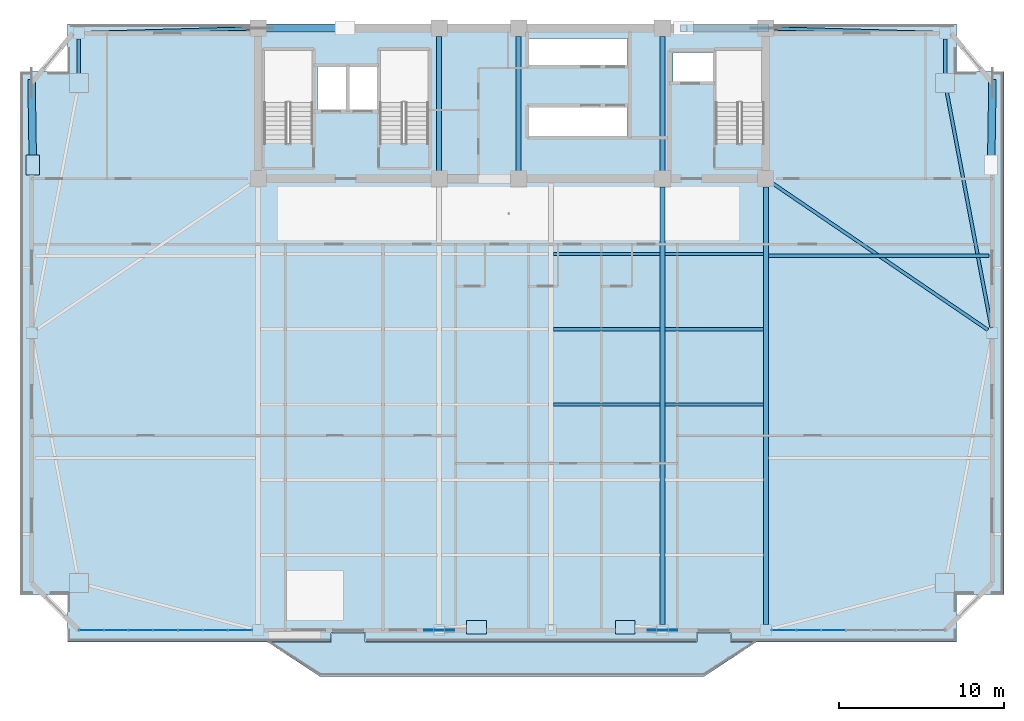
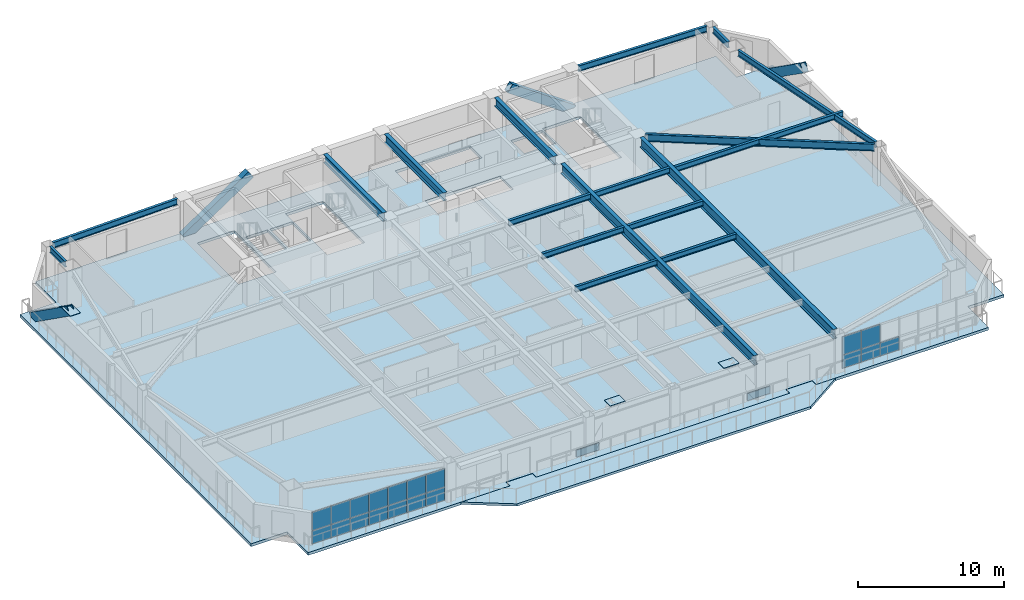
# One storey, part 6 of 15: 24 plates, 18 beams, 4 members, 2 slabs, 2 elements without a shape of their own.
"""IFC4 building model written with IfcOpenShell, lengths in metres."""

from ifc_helpers import new_model, si_unit, direction, frame, origin, origin_2d, place, context, subcontext, project, spatial, polyline, rectangle, hollow_rectangle, i_section, outline, extrude, source, transform, mapped, material, layer, layer_set, material_profile, profile_set, type_object, element, aggregate, save


model = new_model("IFC4")

# Units and contexts
model_context = context("Model", 3, precision=1e-05, world=origin(), true_north=direction((0.0, 1.0)))
body_context = subcontext(model_context, "Body", "Model", "MODEL_VIEW")
ifc_project = project(units=[si_unit("LENGTHUNIT", "METRE"), si_unit("AREAUNIT", "SQUARE_METRE"), si_unit("VOLUMEUNIT", "CUBIC_METRE"), si_unit("PLANEANGLEUNIT", "RADIAN"), si_unit("MASSUNIT", "GRAM", prefix="KILO")], contexts=[model_context])

# Site, building, storey
site_placement = place(None, origin())
site = spatial("IfcSite", under=ifc_project, at=site_placement, CompositionType="ELEMENT")
building_placement = place(site_placement, origin())
building = spatial("IfcBuilding", under=site, at=building_placement, Name="Giltprow Tower", CompositionType="ELEMENT")
storey_placement = place(building_placement, frame((0.0, 0.0, 180.699951171875)))
storey = spatial("IfcBuildingStorey", under=building, at=storey_placement, Name="L45", CompositionType="ELEMENT", Elevation=180.699951171875)

# Beams
ifc_material_1 = material(Name="Structural steel Q355B", Category="steel")
ifc_material_profile_1 = material_profile(ifc_material_1, i_section(OverallWidth=0.199951171875, OverallDepth=0.449951171875, WebThickness=0.009033203125, FlangeThickness=0.013916015625, at=origin_2d()), Name="HN 450x200x9x14")
ifc_profile_set_1 = profile_set([ifc_material_profile_1], Name="Structural steel Q355B")
beam_type_1 = type_object("IfcBeamType", Name="BM-JOIST-HN450", PredefinedType="JOIST", material=ifc_profile_set_1)
shared_shape_1 = source(origin(), body_context, "Body", "SweptSolid", [
    extrude(i_section(OverallWidth=0.199951171875, OverallDepth=0.449951171875, WebThickness=0.009033203125, FlangeThickness=0.013916015625, at=origin_2d()), origin(), (0.0, 0.0, 1.0), 6.4599609375),
])
for number, where, z_axis, x_axis, name in (
    (1, (37.695068359375, 23.802001953125, 3.045166015625), (1.0, 0.0, 0.0), (0.0, 1.0, 0.0), "L45 Composite Floor Joist 3-3"),
    (2, (37.695068359375, 28.35107421875, 3.045166015625), (1.0, 0.0, 0.0), (0.0, 1.0, 0.0), "L45 Composite Floor Joist 4-3"),
    (3, (37.695068359375, 32.90087890625, 3.045166015625), (1.0, 0.0, 0.0), (0.0, 1.0, 0.0), "L45 Composite Floor Joist 5-3"),
):
    element("IfcBeam", number, at=place(storey_placement, frame(where, z_axis=z_axis, x_axis=x_axis)), inside=storey, type_object=beam_type_1, Name=name, PredefinedType="JOIST", context=body_context, shape_type="MappedRepresentation", body=[
        mapped(shared_shape_1, transform((0.0, 0.0, 0.0), x_axis=(1.0, 0.0, 0.0), y_axis=(0.0, 1.0, 0.0), z_axis=(0.0, 0.0, 1.0), scale=1.0)),
    ])
shared_shape_2 = source(origin(), body_context, "Body", "SweptSolid", [
    extrude(i_section(OverallWidth=0.199951171875, OverallDepth=0.449951171875, WebThickness=0.009033203125, FlangeThickness=0.013916015625, at=origin_2d()), origin(), (0.0, 0.0, 1.0), 5.9599609375),
])
for number, where, z_axis, x_axis, name in (
    (4, (44.445068359375, 23.802001953125, 3.045166015625), (1.0, 0.0, 0.0), (0.0, 1.0, 0.0), "L45 Composite Floor Joist 3-4"),
    (5, (44.445068359375, 28.35107421875, 3.045166015625), (1.0, 0.0, 0.0), (0.0, 1.0, 0.0), "L45 Composite Floor Joist 4-4"),
    (6, (44.445068359375, 32.90087890625, 3.045166015625), (1.0, 0.0, 0.0), (0.0, 1.0, 0.0), "L45 Composite Floor Joist 5-4"),
):
    element("IfcBeam", number, at=place(storey_placement, frame(where, z_axis=z_axis, x_axis=x_axis)), inside=storey, type_object=beam_type_1, Name=name, PredefinedType="JOIST", context=body_context, shape_type="MappedRepresentation", body=[
        mapped(shared_shape_2, transform((0.0, 0.0, 0.0), x_axis=(1.0, 0.0, 0.0), y_axis=(0.0, 1.0, 0.0), z_axis=(0.0, 0.0, 1.0), scale=1.0)),
    ])
ifc_material_profile_2 = material_profile(ifc_material_1, i_section(OverallWidth=0.300048828125, OverallDepth=0.699951171875, WebThickness=0.012939453125, FlangeThickness=0.02392578125, at=origin_2d()), Name="HN 700x300x13x24")
ifc_profile_set_2 = profile_set([ifc_material_profile_2], Name="Structural steel Q355B")
beam_type_2 = type_object("IfcBeamType", Name="BM-GIRD-HN700", PredefinedType="BEAM", material=ifc_profile_set_2)
shared_shape_3 = source(origin(), body_context, "Body", "SweptSolid", [
    extrude(i_section(OverallWidth=0.300048828125, OverallDepth=0.699951171875, WebThickness=0.012939453125, FlangeThickness=0.02392578125, at=origin_2d()), origin(), (0.0, 0.0, 1.0), 8.1298828125),
])
for number, where, z_axis, x_axis, name in (
    (7, (30.800048828125, 37.93505859375, 2.920166015625), (0.0, 1.0, 0.0), (-1.0, 0.0, 0.0), "L45 Core Tie Girder M1"),
    (8, (35.60009765625, 37.93505859375, 2.920166015625), (0.0, 1.0, 0.0), (-1.0, 0.0, 0.0), "L45 Core Tie Girder M2"),
    (9, (44.300048828125, 37.93505859375, 2.920166015625), (0.0, 1.0, 0.0), (-1.0, 0.0, 0.0), "L45 Core Tie Girder M3"),
):
    element("IfcBeam", number, at=place(storey_placement, frame(where, z_axis=z_axis, x_axis=x_axis)), inside=storey, type_object=beam_type_2, Name=name, PredefinedType="BEAM", context=body_context, shape_type="MappedRepresentation", body=[
        mapped(shared_shape_3, transform((0.0, 0.0, 0.0), x_axis=(1.0, 0.0, 0.0), y_axis=(0.0, 1.0, 0.0), z_axis=(0.0, 0.0, 1.0), scale=1.0)),
    ])
ifc_material_profile_3 = material_profile(ifc_material_1, i_section(OverallWidth=0.199951171875, OverallDepth=0.5, WebThickness=0.010009765625, FlangeThickness=0.01611328125, at=origin_2d()), Name="HN 500x200x10x16")
ifc_profile_set_3 = profile_set([ifc_material_profile_3], Name="Structural steel Q355B")
beam_type_3 = type_object("IfcBeamType", Name="BM-SPAN-HN500", PredefinedType="SPANDREL", material=ifc_profile_set_3)
shared_shape_4 = source(origin(), body_context, "Body", "SweptSolid", [
    extrude(i_section(OverallWidth=0.199951171875, OverallDepth=0.5, WebThickness=0.010009765625, FlangeThickness=0.01611328125, at=origin_2d()), origin(), (0.0, 0.0, 1.0), 14.46044921875),
])
beam_1_placement = place(storey_placement, frame((64.18505859375, 28.4560546875, 3.02001953125), z_axis=(-0.186021185186, 0.982545733624, 0.0), x_axis=(-0.982545733624, -0.186021185186, 0.0)))
element("IfcBeam", 10, at=beam_1_placement, inside=storey, type_object=beam_type_3, Name="L45 Perimeter Spandrel Beam E_MID-MC_NE", PredefinedType="SPANDREL", context=body_context, shape_type="MappedRepresentation", body=[
    mapped(shared_shape_4, transform((0.0, 0.0, 0.0), x_axis=(1.0, 0.0, 0.0), y_axis=(0.0, 1.0, 0.0), z_axis=(0.0, 0.0, 1.0), scale=1.0)),
])
shared_shape_5 = source(origin(), body_context, "Body", "SweptSolid", [
    extrude(i_section(OverallWidth=0.199951171875, OverallDepth=0.5, WebThickness=0.010009765625, FlangeThickness=0.01611328125, at=origin_2d()), origin(), (0.0, 0.0, 1.0), 2.091064453125),
])
for number, where, z_axis, x_axis, name in (
    (11, (61.385986328125, 43.823974609375, 3.02001953125), (0.0, 1.0, 0.0), (-1.0, 0.0, 0.0), "L45 Perimeter Spandrel Beam MC_NE-N_E"),
    (12, (9.014892578125, 45.9150390625, 3.02001953125), (0.0, -1.0, 0.0), (1.0, 0.0, 0.0), "L45 Perimeter Spandrel Beam N_W-MC_NW"),
):
    element("IfcBeam", number, at=place(storey_placement, frame(where, z_axis=z_axis, x_axis=x_axis)), inside=storey, type_object=beam_type_3, Name=name, PredefinedType="SPANDREL", context=body_context, shape_type="MappedRepresentation", body=[
        mapped(shared_shape_5, transform((0.0, 0.0, 0.0), x_axis=(1.0, 0.0, 0.0), y_axis=(0.0, 1.0, 0.0), z_axis=(0.0, 0.0, 1.0), scale=1.0)),
    ])
shared_shape_6 = source(origin(), body_context, "Body", "SweptSolid", [
    extrude(i_section(OverallWidth=0.199951171875, OverallDepth=0.5, WebThickness=0.010009765625, FlangeThickness=0.01611328125, at=origin_2d()), origin(), (0.0, 0.0, 1.0), 10.018798828125),
])
beam_2_placement = place(storey_placement, frame((9.35009765625, 46.259033203125, 3.02001953125), z_axis=(0.999614739987, 0.027755568827, 0.0), x_axis=(-0.027755568827, 0.999614739987, 0.0)))
element("IfcBeam", 13, at=beam_2_placement, inside=storey, type_object=beam_type_3, Name="L45 North Wing Spandrel W", PredefinedType="SPANDREL", context=body_context, shape_type="MappedRepresentation", body=[
    mapped(shared_shape_6, transform((0.0, 0.0, 0.0), x_axis=(1.0, 0.0, 0.0), y_axis=(0.0, 1.0, 0.0), z_axis=(0.0, 0.0, 1.0), scale=1.0)),
])
shared_shape_7 = source(origin(), body_context, "Body", "SweptSolid", [
    extrude(i_section(OverallWidth=0.199951171875, OverallDepth=0.5, WebThickness=0.010009765625, FlangeThickness=0.01611328125, at=origin_2d()), origin(), (0.0, 0.0, 1.0), 10.02001953125),
])
beam_3_placement = place(storey_placement, frame((51.034912109375, 46.537109375, 3.02001953125), z_axis=(0.999614833833, -0.027752188752, 0.0), x_axis=(0.027752188752, 0.999614833833, 0.0)))
element("IfcBeam", 14, at=beam_3_placement, inside=storey, type_object=beam_type_3, Name="L45 North Wing Spandrel E", PredefinedType="SPANDREL", context=body_context, shape_type="MappedRepresentation", body=[
    mapped(shared_shape_7, transform((0.0, 0.0, 0.0), x_axis=(1.0, 0.0, 0.0), y_axis=(0.0, 1.0, 0.0), z_axis=(0.0, 0.0, 1.0), scale=1.0)),
])
ifc_material_profile_4 = material_profile(ifc_material_1, i_section(OverallWidth=0.300048828125, OverallDepth=0.800048828125, WebThickness=0.013916015625, FlangeThickness=0.02587890625, at=origin_2d()), Name="HN 800x300x14x26")
ifc_profile_set_4 = profile_set([ifc_material_profile_4], Name="Structural steel Q355B")
beam_type_4 = type_object("IfcBeamType", Name="BM-GIRD-HN800", PredefinedType="BEAM", material=ifc_profile_set_4)
shared_shape_8 = source(origin(), body_context, "Body", "SweptSolid", [
    extrude(i_section(OverallWidth=0.300048828125, OverallDepth=0.800048828125, WebThickness=0.013916015625, FlangeThickness=0.02587890625, at=origin_2d()), origin(), (0.0, 0.0, 1.0), 26.47607421875),
])
for number, where, z_axis, x_axis, name in (
    (15, (44.300048828125, 10.489013671875, 2.8701171875), (0.0, 1.0, 0.0), (-1.0, 0.0, 0.0), "L45 Primary Lease Girder S3"),
    (16, (50.550048828125, 10.489013671875, 2.8701171875), (0.0, 1.0, 0.0), (-1.0, 0.0, 0.0), "L45 Primary Lease Girder S4"),
):
    element("IfcBeam", number, at=place(storey_placement, frame(where, z_axis=z_axis, x_axis=x_axis)), inside=storey, type_object=beam_type_4, Name=name, PredefinedType="BEAM", context=body_context, shape_type="MappedRepresentation", body=[
        mapped(shared_shape_8, transform((0.0, 0.0, 0.0), x_axis=(1.0, 0.0, 0.0), y_axis=(0.0, 1.0, 0.0), z_axis=(0.0, 0.0, 1.0), scale=1.0)),
    ])
ifc_material_profile_5 = material_profile(ifc_material_1, i_section(OverallWidth=0.199951171875, OverallDepth=0.60009765625, WebThickness=0.010986328125, FlangeThickness=0.01708984375, at=origin_2d()), Name="HN 600x200x11x17")
ifc_profile_set_5 = profile_set([ifc_material_profile_5], Name="Structural steel Q355B")
beam_type_5 = type_object("IfcBeamType", Name="BM-GIRD-HN600", PredefinedType="BEAM", material=ifc_profile_set_5)
shared_shape_9 = source(origin(), body_context, "Body", "SweptSolid", [
    extrude(i_section(OverallWidth=0.199951171875, OverallDepth=0.60009765625, WebThickness=0.010986328125, FlangeThickness=0.01708984375, at=origin_2d()), origin(), (0.0, 0.0, 1.0), 15.7490234375),
])
beam_4_placement = place(storey_placement, frame((63.969970703125, 28.31494140625, 2.969970703125), z_axis=(-0.826657395896, 0.56270556227, 0.0), x_axis=(-0.56270556227, -0.826657395896, 0.0)))
element("IfcBeam", 17, at=beam_4_placement, inside=storey, type_object=beam_type_5, Name="L45 East Wing Primary Girder", PredefinedType="BEAM", context=body_context, shape_type="MappedRepresentation", body=[
    mapped(shared_shape_9, transform((0.0, 0.0, 0.0), x_axis=(1.0, 0.0, 0.0), y_axis=(0.0, 1.0, 0.0), z_axis=(0.0, 0.0, 1.0), scale=1.0)),
])
shared_shape_10 = source(origin(), body_context, "Body", "SweptSolid", [
    extrude(i_section(OverallWidth=0.199951171875, OverallDepth=0.449951171875, WebThickness=0.009033203125, FlangeThickness=0.013916015625, at=origin_2d()), origin(), (0.0, 0.0, 1.0), 13.33203125),
])
beam_5_placement = place(storey_placement, frame((50.695068359375, 32.7880859375, 3.045166015625), z_axis=(1.0, 0.0, 0.0), x_axis=(0.0, 1.0, 0.0)))
element("IfcBeam", 18, at=beam_5_placement, inside=storey, type_object=beam_type_1, Name="L45 East Wing Floor Joist 2", PredefinedType="JOIST", context=body_context, shape_type="MappedRepresentation", body=[
    mapped(shared_shape_10, transform((0.0, 0.0, 0.0), x_axis=(1.0, 0.0, 0.0), y_axis=(0.0, 1.0, 0.0), z_axis=(0.0, 0.0, 1.0), scale=1.0)),
])

# Members
ifc_material_2 = material(Name="Structural steel Q420GJC", Category="steel")
ifc_material_profile_6 = material_profile(ifc_material_2, hollow_rectangle(XDim=0.449951171875, YDim=0.699951171875, WallThickness=0.031982421875, at=origin_2d()), Name="RHS 700x450x32")
ifc_profile_set_6 = profile_set([ifc_material_profile_6], Name="Structural steel Q420GJC")
member_type = type_object("IfcMemberType", Name="MBR-MEGA-RHS700", PredefinedType="BRACE", material=ifc_profile_set_6)
shared_shape_11 = source(origin(), body_context, "Body", "SweptSolid", [
    extrude(hollow_rectangle(XDim=0.449951171875, YDim=0.699951171875, WallThickness=0.031982421875, at=origin_2d()), origin(), (0.0, 0.0, 1.0), 6.309814453125),
])
member_1_placement = place(storey_placement, frame((19.85009765625, 46.550048828125, -0.139892578125), z_axis=(0.832050294338, 0.0, 0.554700196225), x_axis=(0.0, 1.0, 0.0)))
element("IfcMember", 19, at=member_1_placement, inside=storey, type_object=member_type, Name="L45 Chevron Mega-Brace N-L", PredefinedType="BRACE", context=body_context, shape_type="MappedRepresentation", body=[
    mapped(shared_shape_11, transform((0.0, 0.0, 0.0), x_axis=(1.0, 0.0, 0.0), y_axis=(0.0, 1.0, 0.0), z_axis=(0.0, 0.0, 1.0), scale=1.0)),
])
shared_shape_12 = source(origin(), body_context, "Body", "SweptSolid", [
    extrude(hollow_rectangle(XDim=0.449951171875, YDim=0.699951171875, WallThickness=0.031982421875, at=origin_2d()), origin(), (0.0, 0.0, 1.0), 6.089599609375),
])
member_2_placement = place(storey_placement, frame((50.550048828125, 46.550048828125, -0.139892578125), z_axis=(-0.818321147337, 0.0, 0.574761254628), x_axis=(0.0, -1.0, 0.0)))
element("IfcMember", 20, at=member_2_placement, inside=storey, type_object=member_type, Name="L45 Chevron Mega-Brace N-R", PredefinedType="BRACE", context=body_context, shape_type="MappedRepresentation", body=[
    mapped(shared_shape_12, transform((0.0, 0.0, 0.0), x_axis=(1.0, 0.0, 0.0), y_axis=(0.0, 1.0, 0.0), z_axis=(0.0, 0.0, 1.0), scale=1.0)),
])
shared_shape_13 = source(origin(), body_context, "Body", "SweptSolid", [
    extrude(hollow_rectangle(XDim=0.449951171875, YDim=0.699951171875, WallThickness=0.031982421875, at=origin_2d()), origin(), (0.0, 0.0, 1.0), 6.062744140625),
])
for number, where, z_axis, x_axis, name in (
    (21, (6.154052734375, 43.239013671875, 0.0), (0.012845597616, -0.816440412758, 0.577286794442), (0.999876248913, 0.015731715088, 0.0), "L45 Chevron Mega-Brace W-R"),
    (22, (64.2470703125, 43.239013671875, 0.0), (-0.012885859271, -0.816439989776, 0.57728649536), (0.999875471973, -0.015781018547, 0.0), "L45 Chevron Mega-Brace E-R"),
):
    element("IfcMember", number, at=place(storey_placement, frame(where, z_axis=z_axis, x_axis=x_axis)), inside=storey, type_object=member_type, Name=name, PredefinedType="BRACE", context=body_context, shape_type="MappedRepresentation", body=[
        mapped(shared_shape_13, transform((0.0, 0.0, 0.0), x_axis=(1.0, 0.0, 0.0), y_axis=(0.0, 1.0, 0.0), z_axis=(0.0, 0.0, 1.0), scale=1.0)),
    ])

# Slabs
ifc_material_3 = material(Name="Concrete C40", Category="concrete")
ifc_layer_1 = layer(ifc_material_3, 0.199951171875, Name="Concrete C40")
ifc_layer_set_1 = layer_set([ifc_layer_1], Name="Concrete C40")
slab_type_1 = type_object("IfcSlabType", Name="SLB-BALC-BRONZE-200", PredefinedType="FLOOR", material=ifc_layer_set_1)
slab_1_placement = place(storey_placement, frame((0.0, 0.0, -0.199951171875)))
element("IfcSlab", 23, at=slab_1_placement, inside=storey, type_object=slab_type_1, Name="L45 Bronze Prow Waterfront Balcony Slab", PredefinedType="FLOOR", context=body_context, shape_type="SweptSolid", body=[
    extrude(outline(polyline([(50.0, 9.4541015625), (46.800048828125, 7.35400390625), (23.60009765625, 7.35400390625), (20.39990234375, 9.4541015625), (24.280029296875, 9.4541015625), (24.280029296875, 9.9541015625), (26.320068359375, 9.9541015625), (26.320068359375, 9.4541015625), (46.3798828125, 9.4541015625), (46.3798828125, 9.9541015625), (48.419921875, 9.9541015625), (48.419921875, 9.4541015625), (50.0, 9.4541015625)])), origin(), (0.0, 0.0, 1.0), 0.199951171875),
])
ifc_layer_2 = layer(ifc_material_3, 0.22998046875, Name="Concrete C40")
ifc_layer_set_2 = layer_set([ifc_layer_2], Name="Concrete C40")
slab_type_2 = type_object("IfcSlabType", Name="SLB-HTL-230", PredefinedType="FLOOR", material=ifc_layer_set_2)
slab_2_placement = place(storey_placement, frame((0.0, 0.0, -0.22998046875)))
element("IfcSlab", 24, at=slab_2_placement, inside=storey, type_object=slab_type_2, Name="L45 Structural Composite Floor Slab", PredefinedType="FLOOR", context=body_context, shape_type="SweptSolid", body=[
    extrude(outline(polyline([(8.31494140625, 9.4541015625), (8.31494140625, 12.31494140625), (5.4541015625, 12.31494140625), (5.4541015625, 43.93896484375), (8.31494140625, 43.93896484375), (8.31494140625, 46.800048828125), (62.0859375, 46.800048828125), (62.0859375, 43.93896484375), (64.947021484375, 43.93896484375), (64.947021484375, 12.31494140625), (62.0859375, 12.31494140625), (62.0859375, 9.4541015625), (48.449951171875, 9.4541015625), (48.449951171875, 9.97412109375), (46.35009765625, 9.97412109375), (46.35009765625, 9.4541015625), (26.35009765625, 9.4541015625), (26.35009765625, 9.97412109375), (24.25, 9.97412109375), (24.25, 9.4541015625), (8.31494140625, 9.4541015625)]), holes=[polyline([(42.169921875, 41.800048828125), (36.239990234375, 41.800048828125), (36.239990234375, 40.0), (42.169921875, 40.0), (42.169921875, 41.800048828125)]), polyline([(23.159912109375, 39.570068359375), (23.159912109375, 45.25), (20.199951171875, 45.25), (20.199951171875, 39.570068359375), (23.159912109375, 39.570068359375)]), polyline([(30.159912109375, 39.570068359375), (30.159912109375, 45.25), (27.199951171875, 45.25), (27.199951171875, 39.570068359375), (30.159912109375, 39.570068359375)]), polyline([(50.4599609375, 45.25), (47.5, 45.25), (47.5, 39.570068359375), (50.4599609375, 39.570068359375), (50.4599609375, 45.25)]), polyline([(25.169921875, 44.199951171875), (23.449951171875, 44.199951171875), (23.449951171875, 41.60009765625), (25.169921875, 41.60009765625), (25.169921875, 44.199951171875)]), polyline([(27.10009765625, 44.199951171875), (25.35009765625, 44.199951171875), (25.35009765625, 41.60009765625), (27.10009765625, 41.60009765625), (27.10009765625, 44.199951171875)]), polyline([(47.3798828125, 43.300048828125), (47.3798828125, 45.10009765625), (44.919921875, 45.10009765625), (44.919921875, 43.300048828125), (47.3798828125, 43.300048828125)]), polyline([(42.169921875, 44.300048828125), (42.169921875, 45.919921875), (36.239990234375, 45.919921875), (36.239990234375, 44.300048828125), (42.169921875, 44.300048828125)])]), origin(), (0.0, 0.0, 1.0), 0.22998046875),
])

# Plates
plate_type_1 = type_object("IfcPlateType", Name="PLT-NODE-MBN1", PredefinedType="USERDEFINED", material=ifc_material_2)
shared_shape_14 = source(origin(), body_context, "Body", "SweptSolid", [
    extrude(rectangle(XDim=1.800048828125, YDim=0.050048828125, at=origin_2d()), origin(), (0.0, 0.0, 1.0), 1.14990234375),
])
for number, where, z_axis, x_axis, name in (
    (25, (30.800048828125, 10.154052734375, -0.574951171875), (0.0, 0.0, 1.0), (1.0, 0.0, 0.0), "Mega-Brace Node L45-S-LA"),
    (26, (44.300048828125, 10.154052734375, -0.574951171875), (0.0, 0.0, 1.0), (1.0, 0.0, 0.0), "Mega-Brace Node L45-S-RA"),
):
    element("IfcPlate", number, at=place(storey_placement, frame(where, z_axis=z_axis, x_axis=x_axis)), inside=storey, type_object=plate_type_1, Name=name, ObjectType="GUSSET", PredefinedType="USERDEFINED", context=body_context, shape_type="MappedRepresentation", body=[
        mapped(shared_shape_14, transform((0.0, 0.0, 0.0), x_axis=(1.0, 0.0, 0.0), y_axis=(0.0, 1.0, 0.0), z_axis=(0.0, 0.0, 1.0), scale=1.0)),
    ])
plate_type_2 = type_object("IfcPlateType", Name="PLT-CAP-SEAL", PredefinedType="USERDEFINED", material=ifc_material_2)
shared_shape_15 = source(origin(), body_context, "Body", "SweptSolid", [
    extrude(rectangle(XDim=1.199951171875, YDim=0.800048828125, at=origin_2d()), origin(), (0.0, 0.0, 1.0), 0.034912109375),
])
for number, where, z_axis, x_axis, name in (
    (27, (33.050048828125, 10.3291015625, 3.482421875), (0.0, 0.0, 1.0), (1.0, 0.0, 0.0), "Mega-Brace Node L45-S-LB"),
    (28, (42.050048828125, 10.3291015625, 3.482421875), (0.0, 0.0, 1.0), (1.0, 0.0, 0.0), "Mega-Brace Node L45-S-RB"),
    (29, (6.23193359375, 38.2890625, 3.482421875), (0.0, 0.0, 1.0), (0.0, 1.0, 0.0), "Mega-Brace Node L45-W-RB"),
):
    element("IfcPlate", number, at=place(storey_placement, frame(where, z_axis=z_axis, x_axis=x_axis)), inside=storey, type_object=plate_type_2, Name=name, ObjectType="SPLICE", PredefinedType="USERDEFINED", context=body_context, shape_type="MappedRepresentation", body=[
        mapped(shared_shape_15, transform((0.0, 0.0, 0.0), x_axis=(1.0, 0.0, 0.0), y_axis=(0.0, 1.0, 0.0), z_axis=(0.0, 0.0, 1.0), scale=1.0)),
    ])

# Curtain wall, plates
ifc_material_4 = material(Name="Anodized bronze", Category="metal")
ifc_layer_3 = layer(ifc_material_4, 0.179931640625, Name="Anodized bronze")
ifc_layer_set_3 = layer_set([ifc_layer_3], Name="Anodized bronze")
curtain_wall_type = type_object("IfcCurtainWallType", Name="CW-HTL-BRONZE", PredefinedType="NOTDEFINED", material=ifc_layer_set_3)
curtain_wall_1_placement = place(storey_placement, origin())
curtain_wall_1 = element("IfcCurtainWall", 30, at=curtain_wall_1_placement, inside=storey, type_object=curtain_wall_type, Name="L45 South Recessed Curtain Wall 1", PredefinedType="NOTDEFINED")
ifc_material_5 = material(Name="Insulated glass", Category="glass")
plate_type_3 = type_object("IfcPlateType", Name="CW-PANEL-IGU-28", PredefinedType="CURTAIN_PANEL", material=ifc_material_5)
shared_shape_16 = source(origin(), body_context, "Body", "SweptSolid", [
    extrude(rectangle(XDim=1.468017578125, YDim=0.028076171875, at=origin_2d()), origin(), (0.0, 0.0, 1.0), 1.0869140625),
])
plate_1_placement = place(storey_placement, frame((9.763916015625, 10.154052734375, 0.0546875), z_axis=(0.0, 0.0, 1.0), x_axis=(1.0, 0.0, 0.0)))
plate_1 = element("IfcPlate", 31, at=plate_1_placement, type_object=plate_type_3, Name="L45 South Recessed Curtain Wall 1 Glazing Panel 1-1", PredefinedType="CURTAIN_PANEL", context=body_context, shape_type="MappedRepresentation", body=[
    mapped(shared_shape_16, transform((0.0, 0.0, 0.0), x_axis=(1.0, 0.0, 0.0), y_axis=(0.0, 1.0, 0.0), z_axis=(0.0, 0.0, 1.0), scale=1.0)),
])
plate_2_placement = place(storey_placement, frame((11.261962890625, 10.154052734375, 0.0546875), z_axis=(0.0, 0.0, 1.0), x_axis=(1.0, 0.0, 0.0)))
plate_2 = element("IfcPlate", 32, at=plate_2_placement, type_object=plate_type_3, Name="L45 South Recessed Curtain Wall 1 Glazing Panel 2-1", PredefinedType="CURTAIN_PANEL", context=body_context, shape_type="MappedRepresentation", body=[
    mapped(shared_shape_16, transform((0.0, 0.0, 0.0), x_axis=(1.0, 0.0, 0.0), y_axis=(0.0, 1.0, 0.0), z_axis=(0.0, 0.0, 1.0), scale=1.0)),
])
plate_3_placement = place(storey_placement, frame((12.760009765625, 10.154052734375, 0.0546875), z_axis=(0.0, 0.0, 1.0), x_axis=(1.0, 0.0, 0.0)))
plate_3 = element("IfcPlate", 33, at=plate_3_placement, type_object=plate_type_3, Name="L45 South Recessed Curtain Wall 1 Glazing Panel 3-1", PredefinedType="CURTAIN_PANEL", context=body_context, shape_type="MappedRepresentation", body=[
    mapped(shared_shape_16, transform((0.0, 0.0, 0.0), x_axis=(1.0, 0.0, 0.0), y_axis=(0.0, 1.0, 0.0), z_axis=(0.0, 0.0, 1.0), scale=1.0)),
])
plate_4_placement = place(storey_placement, frame((14.258056640625, 10.154052734375, 0.0546875), z_axis=(0.0, 0.0, 1.0), x_axis=(1.0, 0.0, 0.0)))
plate_4 = element("IfcPlate", 34, at=plate_4_placement, type_object=plate_type_3, Name="L45 South Recessed Curtain Wall 1 Glazing Panel 4-1", PredefinedType="CURTAIN_PANEL", context=body_context, shape_type="MappedRepresentation", body=[
    mapped(shared_shape_16, transform((0.0, 0.0, 0.0), x_axis=(1.0, 0.0, 0.0), y_axis=(0.0, 1.0, 0.0), z_axis=(0.0, 0.0, 1.0), scale=1.0)),
])
plate_5_placement = place(storey_placement, frame((15.7548828125, 10.154052734375, 0.0546875), z_axis=(0.0, 0.0, 1.0), x_axis=(1.0, 0.0, 0.0)))
plate_5 = element("IfcPlate", 35, at=plate_5_placement, type_object=plate_type_3, Name="L45 South Recessed Curtain Wall 1 Glazing Panel 5-1", PredefinedType="CURTAIN_PANEL", context=body_context, shape_type="MappedRepresentation", body=[
    mapped(shared_shape_16, transform((0.0, 0.0, 0.0), x_axis=(1.0, 0.0, 0.0), y_axis=(0.0, 1.0, 0.0), z_axis=(0.0, 0.0, 1.0), scale=1.0)),
])
plate_6_placement = place(storey_placement, frame((17.2529296875, 10.154052734375, 0.0546875), z_axis=(0.0, 0.0, 1.0), x_axis=(1.0, 0.0, 0.0)))
plate_6 = element("IfcPlate", 36, at=plate_6_placement, type_object=plate_type_3, Name="L45 South Recessed Curtain Wall 1 Glazing Panel 6-1", PredefinedType="CURTAIN_PANEL", context=body_context, shape_type="MappedRepresentation", body=[
    mapped(shared_shape_16, transform((0.0, 0.0, 0.0), x_axis=(1.0, 0.0, 0.0), y_axis=(0.0, 1.0, 0.0), z_axis=(0.0, 0.0, 1.0), scale=1.0)),
])
plate_7_placement = place(storey_placement, frame((18.7509765625, 10.154052734375, 0.0546875), z_axis=(0.0, 0.0, 1.0), x_axis=(1.0, 0.0, 0.0)))
plate_7 = element("IfcPlate", 37, at=plate_7_placement, type_object=plate_type_3, Name="L45 South Recessed Curtain Wall 1 Glazing Panel 7-1", PredefinedType="CURTAIN_PANEL", context=body_context, shape_type="MappedRepresentation", body=[
    mapped(shared_shape_16, transform((0.0, 0.0, 0.0), x_axis=(1.0, 0.0, 0.0), y_axis=(0.0, 1.0, 0.0), z_axis=(0.0, 0.0, 1.0), scale=1.0)),
])

curtain_wall_2_placement = place(storey_placement, origin())
curtain_wall_2 = element("IfcCurtainWall", 38, at=curtain_wall_2_placement, inside=storey, type_object=curtain_wall_type, Name="L45 South Recessed Curtain Wall 6", PredefinedType="NOTDEFINED")
plate_8_placement = place(storey_placement, frame((51.64892578125, 10.154052734375, 0.0546875), z_axis=(0.0, 0.0, 1.0), x_axis=(1.0, 0.0, 0.0)))
plate_8 = element("IfcPlate", 39, at=plate_8_placement, type_object=plate_type_3, Name="L45 South Recessed Curtain Wall 6 Glazing Panel 1-1", PredefinedType="CURTAIN_PANEL", context=body_context, shape_type="MappedRepresentation", body=[
    mapped(shared_shape_16, transform((0.0, 0.0, 0.0), x_axis=(1.0, 0.0, 0.0), y_axis=(0.0, 1.0, 0.0), z_axis=(0.0, 0.0, 1.0), scale=1.0)),
])
plate_9_placement = place(storey_placement, frame((53.14697265625, 10.154052734375, 0.0546875), z_axis=(0.0, 0.0, 1.0), x_axis=(1.0, 0.0, 0.0)))
plate_9 = element("IfcPlate", 40, at=plate_9_placement, type_object=plate_type_3, Name="L45 South Recessed Curtain Wall 6 Glazing Panel 2-1", PredefinedType="CURTAIN_PANEL", context=body_context, shape_type="MappedRepresentation", body=[
    mapped(shared_shape_16, transform((0.0, 0.0, 0.0), x_axis=(1.0, 0.0, 0.0), y_axis=(0.0, 1.0, 0.0), z_axis=(0.0, 0.0, 1.0), scale=1.0)),
])
plate_10_placement = place(storey_placement, frame((54.64501953125, 10.154052734375, 0.0546875), z_axis=(0.0, 0.0, 1.0), x_axis=(1.0, 0.0, 0.0)))
plate_10 = element("IfcPlate", 41, at=plate_10_placement, type_object=plate_type_3, Name="L45 South Recessed Curtain Wall 6 Glazing Panel 3-1", PredefinedType="CURTAIN_PANEL", context=body_context, shape_type="MappedRepresentation", body=[
    mapped(shared_shape_16, transform((0.0, 0.0, 0.0), x_axis=(1.0, 0.0, 0.0), y_axis=(0.0, 1.0, 0.0), z_axis=(0.0, 0.0, 1.0), scale=1.0)),
])

# Plate
shared_shape_17 = source(origin(), body_context, "Body", "SweptSolid", [
    extrude(rectangle(XDim=1.468017578125, YDim=0.028076171875, at=origin_2d()), origin(), (0.0, 0.0, 1.0), 1.527099609375),
])
plate_11_placement = place(storey_placement, frame((9.763916015625, 10.154052734375, 1.16845703125), z_axis=(0.0, 0.0, 1.0), x_axis=(1.0, 0.0, 0.0)))
plate_11 = element("IfcPlate", 42, at=plate_11_placement, type_object=plate_type_3, Name="L45 South Recessed Curtain Wall 1 Glazing Panel 1-2", PredefinedType="CURTAIN_PANEL", context=body_context, shape_type="MappedRepresentation", body=[
    mapped(shared_shape_17, transform((0.0, 0.0, 0.0), x_axis=(1.0, 0.0, 0.0), y_axis=(0.0, 1.0, 0.0), z_axis=(0.0, 0.0, 1.0), scale=1.0)),
])

plate_12_placement = place(storey_placement, frame((11.261962890625, 10.154052734375, 1.16845703125), z_axis=(0.0, 0.0, 1.0), x_axis=(1.0, 0.0, 0.0)))
plate_12 = element("IfcPlate", 43, at=plate_12_placement, type_object=plate_type_3, Name="L45 South Recessed Curtain Wall 1 Glazing Panel 2-2", PredefinedType="CURTAIN_PANEL", context=body_context, shape_type="MappedRepresentation", body=[
    mapped(shared_shape_17, transform((0.0, 0.0, 0.0), x_axis=(1.0, 0.0, 0.0), y_axis=(0.0, 1.0, 0.0), z_axis=(0.0, 0.0, 1.0), scale=1.0)),
])

plate_13_placement = place(storey_placement, frame((12.760009765625, 10.154052734375, 1.16845703125), z_axis=(0.0, 0.0, 1.0), x_axis=(1.0, 0.0, 0.0)))
plate_13 = element("IfcPlate", 44, at=plate_13_placement, type_object=plate_type_3, Name="L45 South Recessed Curtain Wall 1 Glazing Panel 3-2", PredefinedType="CURTAIN_PANEL", context=body_context, shape_type="MappedRepresentation", body=[
    mapped(shared_shape_17, transform((0.0, 0.0, 0.0), x_axis=(1.0, 0.0, 0.0), y_axis=(0.0, 1.0, 0.0), z_axis=(0.0, 0.0, 1.0), scale=1.0)),
])

plate_14_placement = place(storey_placement, frame((14.258056640625, 10.154052734375, 1.16845703125), z_axis=(0.0, 0.0, 1.0), x_axis=(1.0, 0.0, 0.0)))
plate_14 = element("IfcPlate", 45, at=plate_14_placement, type_object=plate_type_3, Name="L45 South Recessed Curtain Wall 1 Glazing Panel 4-2", PredefinedType="CURTAIN_PANEL", context=body_context, shape_type="MappedRepresentation", body=[
    mapped(shared_shape_17, transform((0.0, 0.0, 0.0), x_axis=(1.0, 0.0, 0.0), y_axis=(0.0, 1.0, 0.0), z_axis=(0.0, 0.0, 1.0), scale=1.0)),
])

plate_15_placement = place(storey_placement, frame((15.7548828125, 10.154052734375, 1.16845703125), z_axis=(0.0, 0.0, 1.0), x_axis=(1.0, 0.0, 0.0)))
plate_15 = element("IfcPlate", 46, at=plate_15_placement, type_object=plate_type_3, Name="L45 South Recessed Curtain Wall 1 Glazing Panel 5-2", PredefinedType="CURTAIN_PANEL", context=body_context, shape_type="MappedRepresentation", body=[
    mapped(shared_shape_17, transform((0.0, 0.0, 0.0), x_axis=(1.0, 0.0, 0.0), y_axis=(0.0, 1.0, 0.0), z_axis=(0.0, 0.0, 1.0), scale=1.0)),
])

plate_16_placement = place(storey_placement, frame((17.2529296875, 10.154052734375, 1.16845703125), z_axis=(0.0, 0.0, 1.0), x_axis=(1.0, 0.0, 0.0)))
plate_16 = element("IfcPlate", 47, at=plate_16_placement, type_object=plate_type_3, Name="L45 South Recessed Curtain Wall 1 Glazing Panel 6-2", PredefinedType="CURTAIN_PANEL", context=body_context, shape_type="MappedRepresentation", body=[
    mapped(shared_shape_17, transform((0.0, 0.0, 0.0), x_axis=(1.0, 0.0, 0.0), y_axis=(0.0, 1.0, 0.0), z_axis=(0.0, 0.0, 1.0), scale=1.0)),
])

plate_17_placement = place(storey_placement, frame((18.7509765625, 10.154052734375, 1.16845703125), z_axis=(0.0, 0.0, 1.0), x_axis=(1.0, 0.0, 0.0)))
plate_17 = element("IfcPlate", 48, at=plate_17_placement, type_object=plate_type_3, Name="L45 South Recessed Curtain Wall 1 Glazing Panel 7-2", PredefinedType="CURTAIN_PANEL", context=body_context, shape_type="MappedRepresentation", body=[
    mapped(shared_shape_17, transform((0.0, 0.0, 0.0), x_axis=(1.0, 0.0, 0.0), y_axis=(0.0, 1.0, 0.0), z_axis=(0.0, 0.0, 1.0), scale=1.0)),
])

aggregate(curtain_wall_1, [plate_1, plate_11, plate_2, plate_12, plate_3, plate_13, plate_4, plate_14, plate_5, plate_15, plate_6, plate_16, plate_7, plate_17])

plate_18_placement = place(storey_placement, frame((51.64892578125, 10.154052734375, 1.16845703125), z_axis=(0.0, 0.0, 1.0), x_axis=(1.0, 0.0, 0.0)))
plate_18 = element("IfcPlate", 49, at=plate_18_placement, type_object=plate_type_3, Name="L45 South Recessed Curtain Wall 6 Glazing Panel 1-2", PredefinedType="CURTAIN_PANEL", context=body_context, shape_type="MappedRepresentation", body=[
    mapped(shared_shape_17, transform((0.0, 0.0, 0.0), x_axis=(1.0, 0.0, 0.0), y_axis=(0.0, 1.0, 0.0), z_axis=(0.0, 0.0, 1.0), scale=1.0)),
])

plate_19_placement = place(storey_placement, frame((53.14697265625, 10.154052734375, 1.16845703125), z_axis=(0.0, 0.0, 1.0), x_axis=(1.0, 0.0, 0.0)))
plate_19 = element("IfcPlate", 50, at=plate_19_placement, type_object=plate_type_3, Name="L45 South Recessed Curtain Wall 6 Glazing Panel 2-2", PredefinedType="CURTAIN_PANEL", context=body_context, shape_type="MappedRepresentation", body=[
    mapped(shared_shape_17, transform((0.0, 0.0, 0.0), x_axis=(1.0, 0.0, 0.0), y_axis=(0.0, 1.0, 0.0), z_axis=(0.0, 0.0, 1.0), scale=1.0)),
])

aggregate(curtain_wall_2, [plate_8, plate_18, plate_9, plate_19, plate_10])

save(model, "model.ifc")
